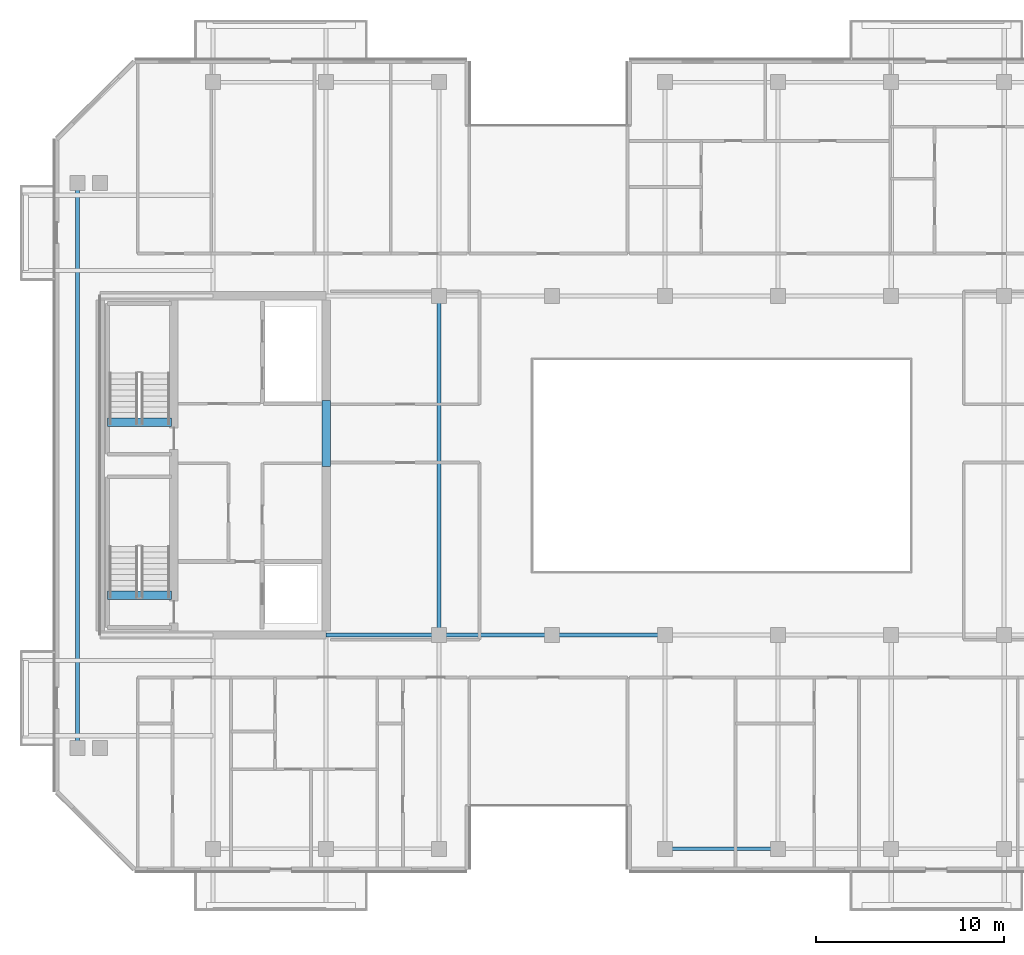
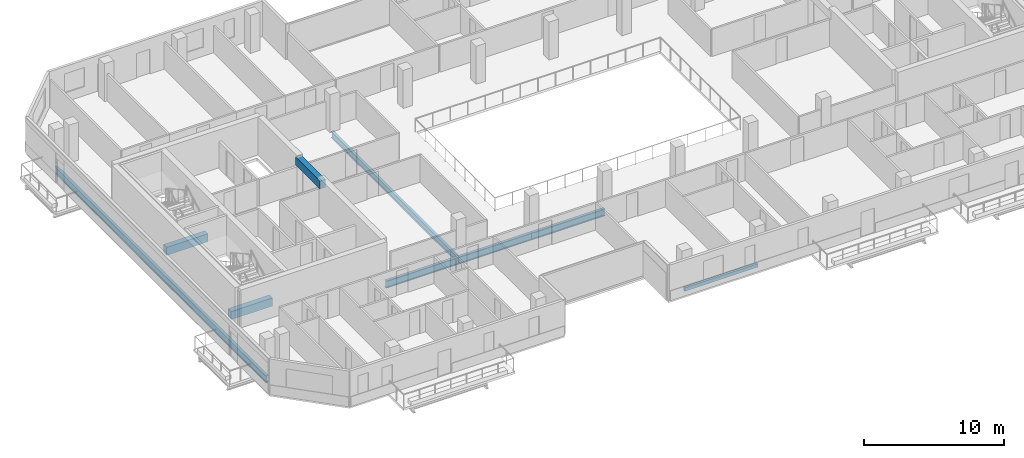
# One storey, part 3 of 20: 9 beams.
"""IFC4 building model written with IfcOpenShell, lengths in metres."""

from ifc_helpers import new_model, si_unit, direction, frame, origin, origin_2d, place, context, subcontext, project, spatial, rectangle, hollow_rectangle, i_section, extrude, material, material_profile, profile_set, type_object, element, save


model = new_model("IFC4")

# Units and contexts
model_context = context("Model", 3, precision=1e-05, world=origin(), true_north=direction((0.0, 1.0)))
body_context = subcontext(model_context, "Body", "Model", "MODEL_VIEW")
ifc_project = project(units=[si_unit("LENGTHUNIT", "METRE"), si_unit("AREAUNIT", "SQUARE_METRE"), si_unit("VOLUMEUNIT", "CUBIC_METRE"), si_unit("PLANEANGLEUNIT", "RADIAN"), si_unit("MASSUNIT", "GRAM", prefix="KILO")], contexts=[model_context])

# Site, building, storey
site_placement = place(None, origin())
site = spatial("IfcSite", under=ifc_project, at=site_placement, CompositionType="ELEMENT")
building_placement = place(site_placement, origin())
building = spatial("IfcBuilding", under=site, at=building_placement, Name="Tanjung Sevakor Pilgrim Tower", CompositionType="ELEMENT")
storey_placement = place(building_placement, frame((0.0, 0.0, 201.6298828125)))
storey = spatial("IfcBuildingStorey", under=building, at=storey_placement, Name="L56", CompositionType="ELEMENT", Elevation=201.6298828125)

# Beams
ifc_material_1 = material(Name="Steel S355J2", Category="steel")
ifc_material_profile_1 = material_profile(ifc_material_1, i_section(OverallWidth=0.22900390625, OverallDepth=0.6123046875, WebThickness=0.011962890625, FlangeThickness=0.01953125, FilletRadius=0.0126953125, at=origin_2d()))
ifc_profile_set_1 = profile_set([ifc_material_profile_1], Name="Steel S355J2")
beam_type_1 = type_object("IfcBeamType", Name="BM-B-G4-UB_610x229x125", PredefinedType="BEAM", material=ifc_profile_set_1)
beam_1_placement = place(storey_placement, frame((22.800048828125, 18.60009765625, -0.52587890625), z_axis=(0.0, 1.0, 0.0), x_axis=(-1.0, 0.0, 0.0)))
element("IfcBeam", 1, at=beam_1_placement, inside=storey, type_object=beam_type_1, Name="L56 Short-End Edge Girder W", PredefinedType="BEAM", context=body_context, shape_type="SweptSolid", body=[
    extrude(i_section(OverallWidth=0.22900390625, OverallDepth=0.6123046875, WebThickness=0.011962890625, FlangeThickness=0.01953125, FilletRadius=0.0126953125, at=origin_2d()), origin(), (0.0, 0.0, 1.0), 30.0),
])
for number, where, z_axis, x_axis, name in (
    (2, (36.0, 24.60009765625, -0.52587890625), (1.0, 0.0, 0.0), (0.0, 1.0, 0.0), "L56 Primary Floor Girder MAIN Y246-02"),
    (3, (42.0, 24.60009765625, -0.52587890625), (1.0, 0.0, 0.0), (0.0, 1.0, 0.0), "L56 Primary Floor Girder MAIN Y246-03"),
    (4, (48.0, 24.60009765625, -0.52587890625), (1.0, 0.0, 0.0), (0.0, 1.0, 0.0), "L56 Primary Floor Girder MAIN Y246-04"),
):
    element("IfcBeam", number, at=place(storey_placement, frame(where, z_axis=z_axis, x_axis=x_axis)), inside=storey, type_object=beam_type_1, Name=name, PredefinedType="BEAM", context=body_context, shape_type="SweptSolid", body=[
        extrude(i_section(OverallWidth=0.22900390625, OverallDepth=0.6123046875, WebThickness=0.011962890625, FlangeThickness=0.01953125, FilletRadius=0.0126953125, at=origin_2d()), origin(), (0.0, 0.0, 1.0), 6.0),
    ])
ifc_material_2 = material(Name="Steel S355J2", Category="steel")
ifc_material_profile_2 = material_profile(ifc_material_2, i_section(OverallWidth=0.2119140625, OverallDepth=0.54443359375, WebThickness=0.0126953125, FlangeThickness=0.021240234375, FilletRadius=0.0126953125, at=origin_2d()))
ifc_profile_set_2 = profile_set([ifc_material_profile_2], Name="Steel S355J2")
beam_type_2 = type_object("IfcBeamType", Name="BM-B-G5-UB_533x210x122", PredefinedType="BEAM", material=ifc_profile_set_2)
beam_2_placement = place(storey_placement, frame((42.0, 24.60009765625, -0.4921875), z_axis=(0.0, 1.0, 0.0), x_axis=(-1.0, 0.0, 0.0)))
element("IfcBeam", 5, at=beam_2_placement, inside=storey, type_object=beam_type_2, Name="L56 MAIN Girder 002", PredefinedType="BEAM", context=body_context, shape_type="SweptSolid", body=[
    extrude(i_section(OverallWidth=0.2119140625, OverallDepth=0.54443359375, WebThickness=0.0126953125, FlangeThickness=0.021240234375, FilletRadius=0.0126953125, at=origin_2d()), origin(), (0.0, 0.0, 1.0), 18.0),
])
ifc_material_3 = material(Name="Concrete C60/75", Category="concrete")
ifc_material_profile_3 = material_profile(ifc_material_3, rectangle(XDim=0.449951171875, YDim=0.699951171875, at=origin_2d()))
ifc_profile_set_3 = profile_set([ifc_material_profile_3], Name="Concrete C60/75")
beam_type_3 = type_object("IfcBeamType", Name="BM-B-LN3-RC-BM_450x700", PredefinedType="LINTEL", material=ifc_profile_set_3)
beam_3_placement = place(storey_placement, frame((36.0, 33.550048828125, 2.730224609375), z_axis=(0.0, 1.0, 0.0), x_axis=(-1.0, 0.0, 0.0)))
element("IfcBeam", 6, at=beam_3_placement, inside=storey, type_object=beam_type_3, Name="L56 W Core Coupling Lintel", PredefinedType="LINTEL", context=body_context, shape_type="SweptSolid", body=[
    extrude(rectangle(XDim=0.449951171875, YDim=0.699951171875, at=origin_2d()), origin(), (0.0, 0.0, 1.0), 3.5),
])
for number, where, z_axis, x_axis, name in (
    (7, (24.39990234375, 26.699951171875, -0.349853515625), (1.0, 0.0, 0.0), (0.0, 1.0, 0.0), "L56 TS-W1 Stair Threshold Beam"),
    (8, (24.39990234375, 35.89990234375, -0.349853515625), (1.0, 0.0, 0.0), (0.0, 1.0, 0.0), "L56 TS-W2 Stair Threshold Beam"),
):
    element("IfcBeam", number, at=place(storey_placement, frame(where, z_axis=z_axis, x_axis=x_axis)), inside=storey, type_object=beam_type_3, Name=name, PredefinedType="LINTEL", context=body_context, shape_type="SweptSolid", body=[
        extrude(rectangle(XDim=0.449951171875, YDim=0.699951171875, at=origin_2d()), origin(), (0.0, 0.0, 1.0), 3.400146484375),
    ])
ifc_material_4 = material(Name="Steel S355J2", Category="steel")
ifc_material_profile_4 = material_profile(ifc_material_4, hollow_rectangle(XDim=0.199951171875, YDim=0.300048828125, WallThickness=0.012451171875, at=origin_2d()))
ifc_profile_set_4 = profile_set([ifc_material_profile_4], Name="Steel S355J2")
beam_type_4 = type_object("IfcBeamType", Name="BM-B-SP3-RHS_300x200x12.5", PredefinedType="SPANDREL", material=ifc_profile_set_4)
beam_4_placement = place(storey_placement, frame((54.0, 13.25, -0.369873046875), z_axis=(1.0, 0.0, 0.0), x_axis=(0.0, 1.0, 0.0)))
element("IfcBeam", 9, at=beam_4_placement, inside=storey, type_object=beam_type_4, Name="L56 Spandrel MAIN S-05", PredefinedType="SPANDREL", context=body_context, shape_type="SweptSolid", body=[
    extrude(hollow_rectangle(XDim=0.199951171875, YDim=0.300048828125, WallThickness=0.012451171875, at=origin_2d()), origin(), (0.0, 0.0, 1.0), 6.0),
])

save(model, "model.ifc")
